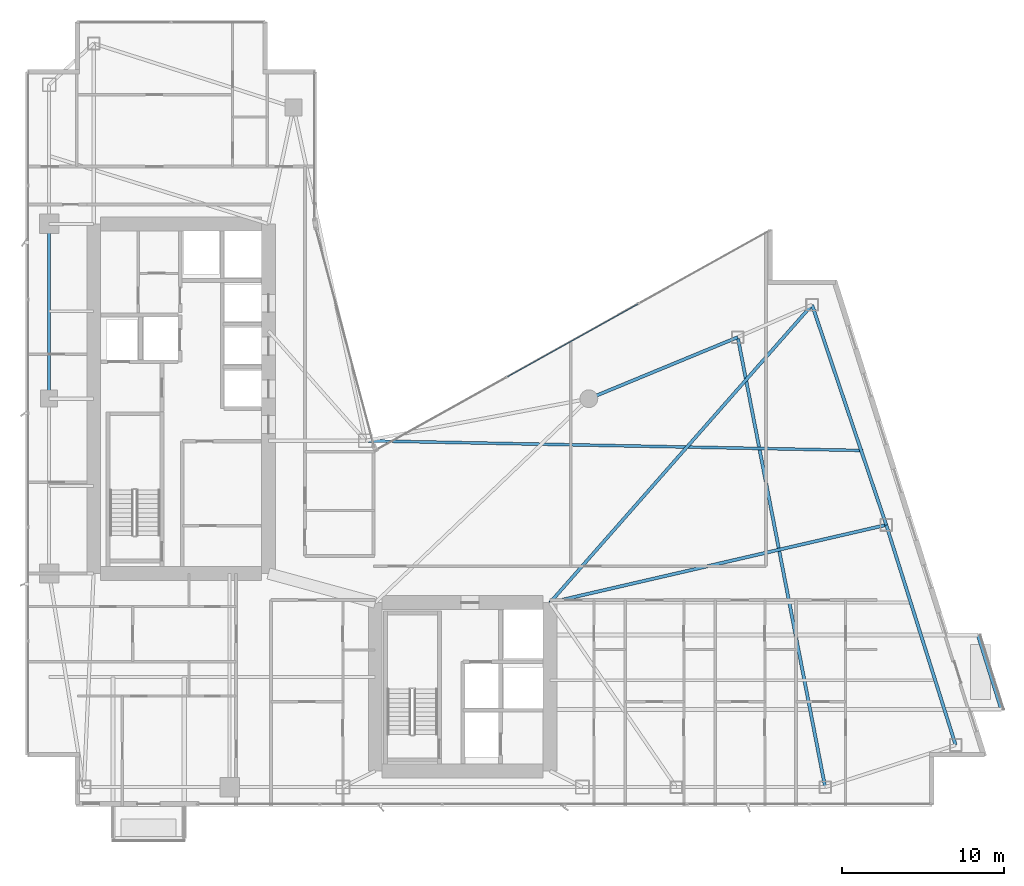
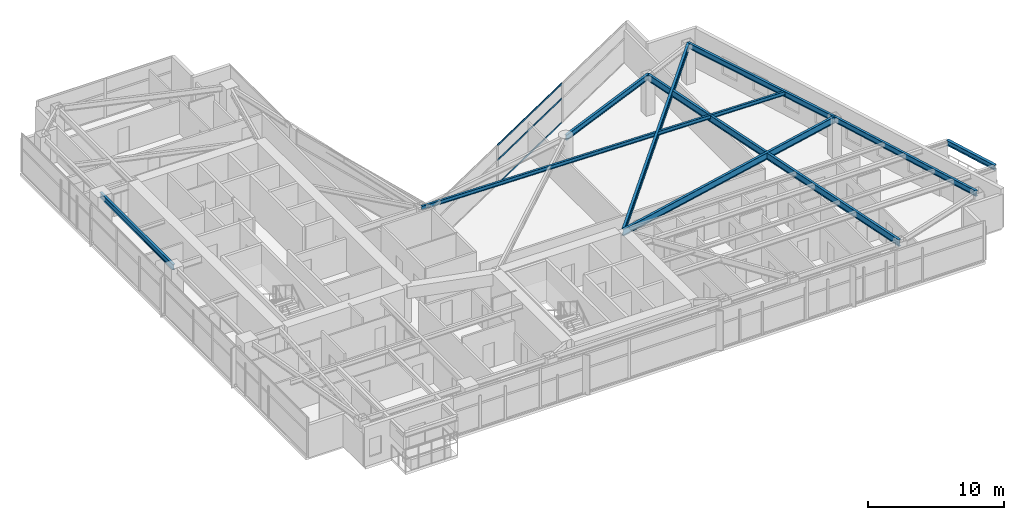
# One storey, part 15 of 29: 9 beams, 3 members, 1 element without a shape of its own.
"""IFC4 building model written with IfcOpenShell, lengths in metres."""

from ifc_helpers import new_model, si_unit, direction, frame, origin, origin_2d, place, context, subcontext, project, spatial, hollow_rectangle, i_section, extrude, material, layer, layer_set, material_profile, profile_set, type_object, element, aggregate, save


model = new_model("IFC4")

# Units and contexts
model_context = context("Model", 3, precision=1e-05, world=origin(), true_north=direction((0.0, 1.0)))
body_context = subcontext(model_context, "Body", "Model", "MODEL_VIEW")
ifc_project = project(units=[si_unit("LENGTHUNIT", "METRE"), si_unit("AREAUNIT", "SQUARE_METRE"), si_unit("VOLUMEUNIT", "CUBIC_METRE"), si_unit("PLANEANGLEUNIT", "RADIAN"), si_unit("MASSUNIT", "GRAM", prefix="KILO")], contexts=[model_context])

# Site, building, storey
site_placement = place(None, origin())
site = spatial("IfcSite", under=ifc_project, at=site_placement, CompositionType="ELEMENT")
building_placement = place(site_placement, origin())
building = spatial("IfcBuilding", under=site, at=building_placement, Name="Calvorn Quay Hotel", CompositionType="ELEMENT")
storey_placement = place(building_placement, frame((0.0, 0.0, 167.5)))
storey = spatial("IfcBuildingStorey", under=building, at=storey_placement, Name="L41", CompositionType="ELEMENT", Elevation=167.5)

# Beams
ifc_material_1 = material(Name="Steel Q355B", Category="steel")
ifc_material_profile_1 = material_profile(ifc_material_1, i_section(OverallWidth=0.25, OverallDepth=0.449951171875, WebThickness=0.011962890625, FlangeThickness=0.01611328125, FilletRadius=0.01611328125, at=origin_2d()), Name="HN450x250x12x16")
ifc_profile_set_1 = profile_set([ifc_material_profile_1], Name="Steel Q355B")
beam_type_1 = type_object("IfcBeamType", Name="BM-CANT-BALC", PredefinedType="BEAM", material=ifc_profile_set_1)
beam_1_placement = place(storey_placement, frame((60.30810546875, 8.39990234375, 3.31494140625), z_axis=(-0.300666214801, 0.953729430854, 0.0), x_axis=(-0.953729430854, -0.300666214801, 0.0)))
element("IfcBeam", 1, at=beam_1_placement, inside=storey, type_object=beam_type_1, Name="Beam BCBO-L42-1", PredefinedType="BEAM", context=body_context, shape_type="SweptSolid", body=[
    extrude(i_section(OverallWidth=0.25, OverallDepth=0.449951171875, WebThickness=0.011962890625, FlangeThickness=0.01611328125, FilletRadius=0.01611328125, at=origin_2d()), origin(), (0.0, 0.0, 1.0), 4.8232421875),
])
ifc_material_2 = material(Name="Steel Q355B", Category="steel")
ifc_material_profile_2 = material_profile(ifc_material_2, i_section(OverallWidth=0.199951171875, OverallDepth=0.60009765625, WebThickness=0.010986328125, FlangeThickness=0.01708984375, FilletRadius=0.01806640625, at=origin_2d()), Name="HN600x200x11x17")
ifc_profile_set_2 = profile_set([ifc_material_profile_2], Name="Steel Q355B")
beam_type_2 = type_object("IfcBeamType", Name="BM-GIRD-TYP", PredefinedType="BEAM", material=ifc_profile_set_2)
beam_2_placement = place(storey_placement, frame((32.39990234375, 15.0, 3.239990234375), z_axis=(0.974334045812, 0.225107012711, 0.0), x_axis=(-0.225107012711, 0.974334045812, 0.0)))
element("IfcBeam", 2, at=beam_2_placement, inside=storey, type_object=beam_type_2, Name="Beam BG-L41-E2", PredefinedType="BEAM", context=body_context, shape_type="SweptSolid", body=[
    extrude(i_section(OverallWidth=0.199951171875, OverallDepth=0.60009765625, WebThickness=0.010986328125, FlangeThickness=0.01708984375, FilletRadius=0.01806640625, at=origin_2d()), origin(), (0.0, 0.0, 1.0), 21.323486328125),
])
beam_3_placement = place(storey_placement, frame((32.39990234375, 15.0, 3.239990234375), z_axis=(0.660610604248, 0.750728732336, 0.0), x_axis=(-0.750728732336, 0.660610604248, 0.0)))
element("IfcBeam", 3, at=beam_3_placement, inside=storey, type_object=beam_type_2, Name="Beam BG-L41-E3", PredefinedType="BEAM", context=body_context, shape_type="SweptSolid", body=[
    extrude(i_section(OverallWidth=0.199951171875, OverallDepth=0.60009765625, WebThickness=0.010986328125, FlangeThickness=0.01708984375, FilletRadius=0.01806640625, at=origin_2d()), origin(), (0.0, 0.0, 1.0), 24.50927734375),
])
beam_4_placement = place(storey_placement, frame((49.39990234375, 3.60009765625, 3.239990234375), z_axis=(-0.190678596862, 0.981652521363, 0.0), x_axis=(-0.981652521363, -0.190678596862, 0.0)))
element("IfcBeam", 4, at=beam_4_placement, inside=storey, type_object=beam_type_2, Name="Beam BG-L41-E5", PredefinedType="BEAM", context=body_context, shape_type="SweptSolid", body=[
    extrude(i_section(OverallWidth=0.199951171875, OverallDepth=0.60009765625, WebThickness=0.010986328125, FlangeThickness=0.01708984375, FilletRadius=0.01806640625, at=origin_2d()), origin(), (0.0, 0.0, 1.0), 28.3193359375),
])
ifc_material_3 = material(Name="Steel Q355B", Category="steel")
ifc_material_profile_3 = material_profile(ifc_material_3, i_section(OverallWidth=0.175048828125, OverallDepth=0.35009765625, WebThickness=0.007080078125, FlangeThickness=0.010986328125, FilletRadius=0.013916015625, at=origin_2d()), Name="HN350x175x7x11")
ifc_profile_set_3 = profile_set([ifc_material_profile_3], Name="Steel Q355B")
beam_type_3 = type_object("IfcBeamType", Name="BM-JOIST-SEC", PredefinedType="JOIST", material=ifc_profile_set_3)
beam_5_placement = place(storey_placement, frame((21.0, 25.0, 3.364990234375), z_axis=(0.999809345134, -0.019526222968, 0.0), x_axis=(0.019526222968, 0.999809345134, 0.0)))
element("IfcBeam", 5, at=beam_5_placement, inside=storey, type_object=beam_type_3, Name="Beam BJ-L41-E3", PredefinedType="JOIST", context=body_context, shape_type="SweptSolid", body=[
    extrude(i_section(OverallWidth=0.175048828125, OverallDepth=0.35009765625, WebThickness=0.007080078125, FlangeThickness=0.010986328125, FilletRadius=0.013916015625, at=origin_2d()), origin(), (0.0, 0.0, 1.0), 30.73291015625),
])
ifc_material_4 = material(Name="Steel Q355B", Category="steel")
ifc_material_profile_4 = material_profile(ifc_material_4, i_section(OverallWidth=0.199951171875, OverallDepth=0.5, WebThickness=0.010009765625, FlangeThickness=0.01611328125, FilletRadius=0.01611328125, at=origin_2d()), Name="HN500x200x10x16")
ifc_profile_set_4 = profile_set([ifc_material_profile_4], Name="Steel Q355B")
beam_type_4 = type_object("IfcBeamType", Name="BM-SPANDREL-Z1", PredefinedType="SPANDREL", material=ifc_profile_set_4)
beam_6_placement = place(storey_placement, frame((1.449951171875, 27.60009765625, 3.2900390625), z_axis=(0.0, 1.0, 0.0), x_axis=(-1.0, 0.0, 0.0)))
element("IfcBeam", 6, at=beam_6_placement, inside=storey, type_object=beam_type_4, Name="Beam BSP-L41-W3", PredefinedType="SPANDREL", context=body_context, shape_type="SweptSolid", body=[
    extrude(i_section(OverallWidth=0.199951171875, OverallDepth=0.5, WebThickness=0.010009765625, FlangeThickness=0.01611328125, FilletRadius=0.01611328125, at=origin_2d()), origin(), (0.0, 0.0, 1.0), 10.7998046875),
])
beam_7_placement = place(storey_placement, frame((57.4609375, 6.199951171875, 3.2900390625), z_axis=(-0.300502802767, 0.953780931624, 0.0), x_axis=(-0.953780931624, -0.300502802767, 0.0)))
element("IfcBeam", 7, at=beam_7_placement, inside=storey, type_object=beam_type_4, Name="Beam BSP-L41-E1", PredefinedType="SPANDREL", context=body_context, shape_type="SweptSolid", body=[
    extrude(i_section(OverallWidth=0.199951171875, OverallDepth=0.5, WebThickness=0.010009765625, FlangeThickness=0.01611328125, FilletRadius=0.01611328125, at=origin_2d()), origin(), (0.0, 0.0, 1.0), 14.259033203125),
])
beam_8_placement = place(storey_placement, frame((53.176025390625, 19.800048828125, 3.2900390625), z_axis=(-0.319466515944, 0.947597564998, 0.0), x_axis=(-0.947597564998, -0.319466515944, 0.0)))
element("IfcBeam", 8, at=beam_8_placement, inside=storey, type_object=beam_type_4, Name="Beam BSP-L41-E2", PredefinedType="SPANDREL", context=body_context, shape_type="SweptSolid", body=[
    extrude(i_section(OverallWidth=0.199951171875, OverallDepth=0.5, WebThickness=0.010009765625, FlangeThickness=0.01611328125, FilletRadius=0.01611328125, at=origin_2d()), origin(), (0.0, 0.0, 1.0), 14.35205078125),
])
beam_9_placement = place(storey_placement, frame((44.0, 31.39990234375, 3.2900390625), z_axis=(-0.92426763497, -0.381745123017, 0.0), x_axis=(0.381745123017, -0.92426763497, 0.0)))
element("IfcBeam", 9, at=beam_9_placement, inside=storey, type_object=beam_type_4, Name="Beam BSP-L41-E4", PredefinedType="SPANDREL", context=body_context, shape_type="SweptSolid", body=[
    extrude(i_section(OverallWidth=0.199951171875, OverallDepth=0.5, WebThickness=0.010009765625, FlangeThickness=0.01611328125, FilletRadius=0.01611328125, at=origin_2d()), origin(), (0.0, 0.0, 1.0), 9.953857421875),
])

# Curtain wall, members
ifc_material_5 = material(Name="Pale Anodised Aluminium and Low-E Glass", Category="aluminium")
ifc_layer = layer(ifc_material_5, 0.219970703125)
ifc_layer_set = layer_set([ifc_layer], Name="CW-SYS-Z2")
curtain_wall_type = type_object("IfcCurtainWallType", Name="CW-SYS-Z2", PredefinedType="NOTDEFINED", material=ifc_layer_set)
curtain_wall_placement = place(storey_placement, origin())
curtain_wall = element("IfcCurtainWall", 10, at=curtain_wall_placement, inside=storey, type_object=curtain_wall_type, Name="Inner Court Curtain Wall L41-NE1", PredefinedType="NOTDEFINED")
ifc_material_6 = material(Name="Pale Anodised Aluminium 6063-T6", Category="aluminium")
ifc_material_profile_5 = material_profile(ifc_material_6, hollow_rectangle(XDim=0.06005859375, YDim=0.14990234375, WallThickness=0.00341796875, at=origin_2d()), Name="ALU-T150x60x3.5")
ifc_profile_set_5 = profile_set([ifc_material_profile_5], Name="Pale Anodised Aluminium 6063-T6")
member_type = type_object("IfcMemberType", Name="CW-SYS-Z2-TRN", PredefinedType="USERDEFINED", material=ifc_profile_set_5)
member_1_placement = place(storey_placement, frame((37.840576171875, 33.4521484375, 0.030029296875), z_axis=(-0.873483012802, -0.486854625474, 0.0), x_axis=(0.486854625474, -0.873483012802, 0.0)))
member_1 = element("IfcMember", 11, at=member_1_placement, type_object=member_type, Name="CW-L41-NE1 transom 2.1", ObjectType="TRANSOM", PredefinedType="USERDEFINED", context=body_context, shape_type="SweptSolid", body=[
    extrude(hollow_rectangle(XDim=0.06005859375, YDim=0.14990234375, WallThickness=0.00341796875, at=origin_2d()), origin(), (0.0, 0.0, 1.0), 9.25146484375),
])
member_2_placement = place(storey_placement, frame((37.840576171875, 33.4521484375, 2.199951171875), z_axis=(-0.873483012802, -0.486854625474, 0.0), x_axis=(0.486854625474, -0.873483012802, 0.0)))
member_2 = element("IfcMember", 12, at=member_2_placement, type_object=member_type, Name="CW-L41-NE1 transom 2.2", ObjectType="TRANSOM", PredefinedType="USERDEFINED", context=body_context, shape_type="SweptSolid", body=[
    extrude(hollow_rectangle(XDim=0.06005859375, YDim=0.14990234375, WallThickness=0.00341796875, at=origin_2d()), origin(), (0.0, 0.0, 1.0), 9.25146484375),
])
member_3_placement = place(storey_placement, frame((37.840576171875, 33.4521484375, 3.530029296875), z_axis=(-0.873483012802, -0.486854625474, 0.0), x_axis=(0.486854625474, -0.873483012802, 0.0)))
member_3 = element("IfcMember", 13, at=member_3_placement, type_object=member_type, Name="CW-L41-NE1 transom 2.3", ObjectType="TRANSOM", PredefinedType="USERDEFINED", context=body_context, shape_type="SweptSolid", body=[
    extrude(hollow_rectangle(XDim=0.06005859375, YDim=0.14990234375, WallThickness=0.00341796875, at=origin_2d()), origin(), (0.0, 0.0, 1.0), 9.25146484375),
])
aggregate(curtain_wall, [member_1, member_2, member_3])

save(model, "model.ifc")
